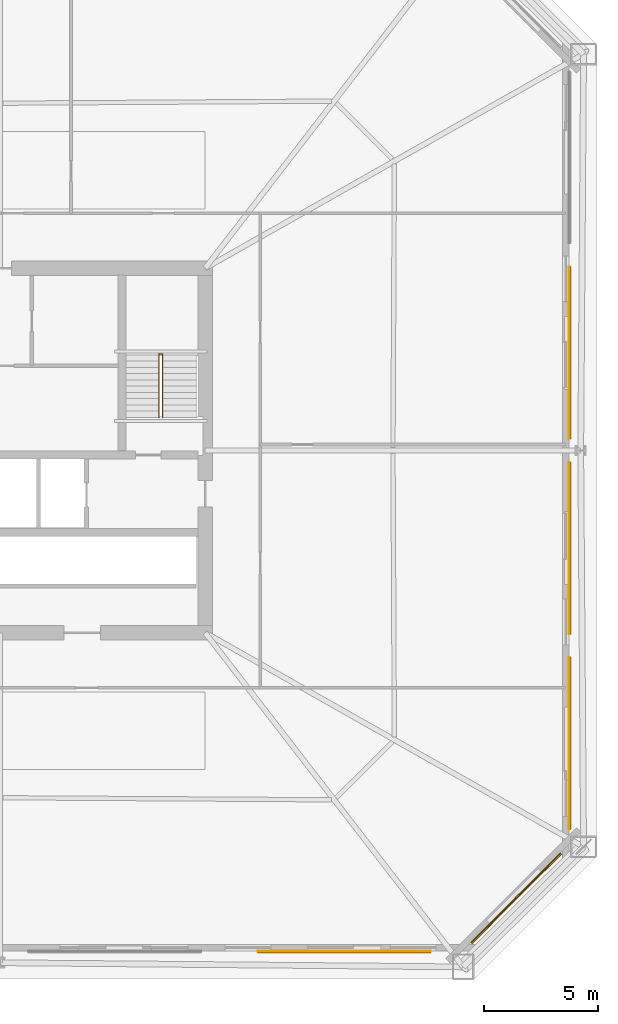
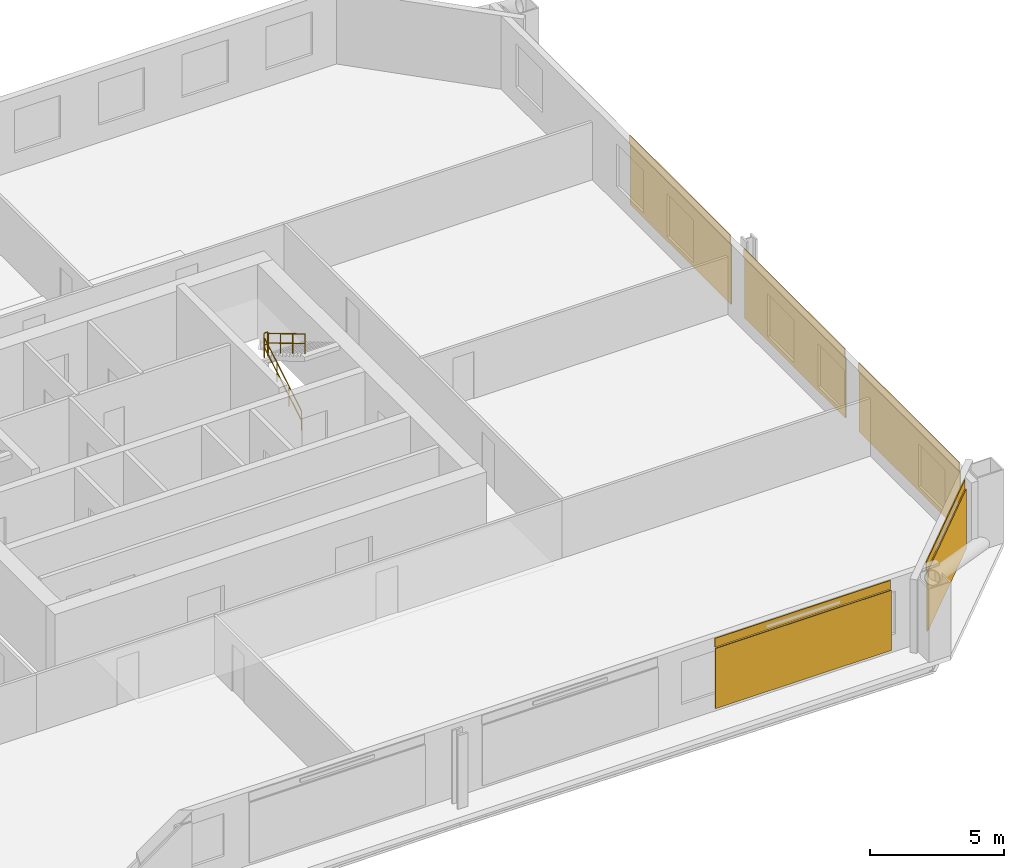
# One storey, part 10 of 11: 5 coverings, 5 shading devices, 3 railings.
"""IFC4 building model written with IfcOpenShell, lengths in metres."""

from ifc_helpers import new_model, si_unit, direction, frame, origin, origin_2d, place, context, subcontext, project, spatial, rectangle, circle, extrude, material, layer, layer_set, type_object, element, save


model = new_model("IFC4")

# Units and contexts
model_context = context("Model", 3, precision=1e-05, world=origin(), true_north=direction((0.0, 1.0)))
body_context = subcontext(model_context, "Body", "Model", "MODEL_VIEW")
ifc_project = project(units=[si_unit("LENGTHUNIT", "METRE"), si_unit("AREAUNIT", "SQUARE_METRE"), si_unit("VOLUMEUNIT", "CUBIC_METRE"), si_unit("PLANEANGLEUNIT", "RADIAN"), si_unit("MASSUNIT", "GRAM", prefix="KILO")], contexts=[model_context])

# Site, building, storey
site_placement = place(None, origin())
site = spatial("IfcSite", under=ifc_project, at=site_placement, CompositionType="ELEMENT")
building_placement = place(site_placement, origin())
building = spatial("IfcBuilding", under=site, at=building_placement, Name="Caelvoria Tower", CompositionType="ELEMENT")
storey_placement = place(building_placement, frame((0.0, 0.0, 74.800048828125)))
storey = spatial("IfcBuildingStorey", under=building, at=storey_placement, Name="L19", CompositionType="ELEMENT", Elevation=74.800048828125)

# Coverings
ifc_material_1 = material(Name="Perforated Architectural Bronze Cladding Screen", Category="bronze")
ifc_layer_1 = layer(ifc_material_1, 0.0400390625, Name="Perforated Architectural Bronze Cladding Screen")
ifc_layer_set_1 = layer_set([ifc_layer_1], Name="Perforated Bronze Louvre Cladding Band 40 - Perforated Architectural Bronze Cladding Screen")
covering_type = type_object("IfcCoveringType", Name="Perforated Bronze Louvre Cladding Band 40", PredefinedType="CLADDING", material=ifc_layer_set_1)
covering_1_placement = place(storey_placement, frame((61.10498046875, 10.028076171875, 2.93994140625), z_axis=(0.0, 0.0, 1.0), x_axis=(1.0, 0.0, 0.0)))
element("IfcCovering", 1, at=covering_1_placement, inside=storey, type_object=covering_type, Name="Perforated Bronze Screen Band L19-E0-03", PredefinedType="CLADDING", context=body_context, shape_type="SweptSolid", body=[
    extrude(rectangle(XDim=7.60009765625, YDim=0.0400390625, at=origin_2d()), origin(), (0.0, 0.0, 1.0), 0.39990234375),
])
covering_2_placement = place(storey_placement, frame((68.631591796875, 12.368408203125, 2.93994140625), z_axis=(0.0, 0.0, 1.0), x_axis=(0.707106781187, 0.707106781187, 0.0)))
element("IfcCovering", 2, at=covering_2_placement, inside=storey, type_object=covering_type, Name="Perforated Bronze Screen Band L19-E1-00", PredefinedType="CLADDING", context=body_context, shape_type="SweptSolid", body=[
    extrude(rectangle(XDim=5.55859375, YDim=0.0400390625, at=origin_2d()), origin(), (0.0, 0.0, 1.0), 0.39990234375),
])
for number, where, z_axis, x_axis, name in (
    (3, (70.971923828125, 19.14501953125, 2.93994140625), (0.0, 0.0, 1.0), (0.0, 1.0, 0.0), "Perforated Bronze Screen Band L19-E2-00"),
    (4, (70.971923828125, 27.715087890625, 2.93994140625), (0.0, 0.0, 1.0), (0.0, 1.0, 0.0), "Perforated Bronze Screen Band L19-E2-01"),
    (5, (70.971923828125, 36.284912109375, 2.93994140625), (0.0, 0.0, 1.0), (0.0, 1.0, 0.0), "Perforated Bronze Screen Band L19-E2-02"),
):
    element("IfcCovering", number, at=place(storey_placement, frame(where, z_axis=z_axis, x_axis=x_axis)), inside=storey, type_object=covering_type, Name=name, PredefinedType="CLADDING", context=body_context, shape_type="SweptSolid", body=[
        extrude(rectangle(XDim=7.54150390625, YDim=0.0400390625, at=origin_2d()), origin(), (0.0, 0.0, 1.0), 0.39990234375),
    ])

# Shading devices
ifc_material_2 = material(Name="Perforated Architectural Bronze Alloy Panel", Category="bronze")
ifc_layer_2 = layer(ifc_material_2, 0.044921875, Name="Perforated Architectural Bronze Alloy Panel")
ifc_layer_set_2 = layer_set([ifc_layer_2], Name="Perforated Bronze Solar Screen Panel SCREEN - Perforated Architectural Bronze Alloy Panel")
shading_device_type = type_object("IfcShadingDeviceType", Name="Perforated Bronze Solar Screen Panel SCREEN", PredefinedType="USERDEFINED", material=ifc_layer_set_2)
shading_device_1_placement = place(storey_placement, frame((61.10498046875, 9.985107421875, 0.159912109375), z_axis=(0.0, 0.0, 1.0), x_axis=(1.0, 0.0, 0.0)))
element("IfcShadingDevice", 6, at=shading_device_1_placement, inside=storey, type_object=shading_device_type, Name="Perforated Bronze Solar Screen L19-E0-03", ObjectType="SCREEN", PredefinedType="USERDEFINED", context=body_context, shape_type="SweptSolid", body=[
    extrude(rectangle(XDim=7.60009765625, YDim=0.044921875, at=origin_2d()), origin(), (0.0, 0.0, 1.0), 2.75),
])
shading_device_2_placement = place(storey_placement, frame((68.662109375, 12.337890625, 0.159912109375), z_axis=(0.0, 0.0, 1.0), x_axis=(0.707106781187, 0.707106781187, 0.0)))
element("IfcShadingDevice", 7, at=shading_device_2_placement, inside=storey, type_object=shading_device_type, Name="Perforated Bronze Solar Screen L19-E1-00", ObjectType="SCREEN", PredefinedType="USERDEFINED", context=body_context, shape_type="SweptSolid", body=[
    extrude(rectangle(XDim=5.55859375, YDim=0.044921875, at=origin_2d()), origin(), (0.0, 0.0, 1.0), 2.75),
])
for number, where, z_axis, x_axis, name in (
    (8, (71.014892578125, 19.14501953125, 0.159912109375), (0.0, 0.0, 1.0), (0.0, 1.0, 0.0), "Perforated Bronze Solar Screen L19-E2-00"),
    (9, (71.014892578125, 27.715087890625, 0.159912109375), (0.0, 0.0, 1.0), (0.0, 1.0, 0.0), "Perforated Bronze Solar Screen L19-E2-01"),
    (10, (71.014892578125, 36.284912109375, 0.159912109375), (0.0, 0.0, 1.0), (0.0, 1.0, 0.0), "Perforated Bronze Solar Screen L19-E2-02"),
):
    element("IfcShadingDevice", number, at=place(storey_placement, frame(where, z_axis=z_axis, x_axis=x_axis)), inside=storey, type_object=shading_device_type, Name=name, ObjectType="SCREEN", PredefinedType="USERDEFINED", context=body_context, shape_type="SweptSolid", body=[
        extrude(rectangle(XDim=7.54150390625, YDim=0.044921875, at=origin_2d()), origin(), (0.0, 0.0, 1.0), 2.75),
    ])

# Railings
ifc_material_3 = material(Name="Brushed Stainless Steel Tube", Category="steel")
railing_type_1 = type_object("IfcRailingType", Name="Stair Tubular Stainless Handrail 920", PredefinedType="HANDRAIL", material=ifc_material_3)
railing_1_placement = place(storey_placement, frame((52.969970703125, 33.449951171875, 0.16357421875)))
element("IfcRailing", 11, at=railing_1_placement, inside=storey, type_object=railing_type_1, Name="ST-02 Flight 1 Handrail L19", PredefinedType="HANDRAIL", context=body_context, shape_type="SweptSolid", body=[
    extrude(circle(Radius=0.02392578125, at=origin_2d()), frame((0.0, 0.0, 0.89599609375), z_axis=(0.0, 0.859351957796, 0.511384603436), x_axis=(-1.0, 0.0, 0.0)), (0.0, 0.0, 1.0), 3.2001953125),
    extrude(circle(Radius=0.02392578125, at=origin_2d()), frame((0.0, 0.0, 0.4599609375), z_axis=(0.0, 0.859351957796, 0.511384603436), x_axis=(-1.0, 0.0, 0.0)), (0.0, 0.0, 1.0), 3.2001953125),
    extrude(circle(Radius=0.02099609375, at=origin_2d()), origin(), (0.0, 0.0, 1.0), 0.871826171875),
    extrude(circle(Radius=0.02099609375, at=origin_2d()), frame((0.0, 0.916748046875, 0.54541015625)), (0.0, 0.0, 1.0), 0.871826171875),
    extrude(circle(Radius=0.02099609375, at=origin_2d()), frame((0.0, 1.833251953125, 1.091064453125)), (0.0, 0.0, 1.0), 0.871826171875),
    extrude(circle(Radius=0.02099609375, at=origin_2d()), frame((0.0, 2.75, 1.636474609375)), (0.0, 0.0, 1.0), 0.871826171875),
])
railing_2_placement = place(storey_placement, frame((53.1298828125, 36.199951171875, 1.963623046875)))
element("IfcRailing", 12, at=railing_2_placement, inside=storey, type_object=railing_type_1, Name="ST-02 Flight 2 Handrail L19", PredefinedType="HANDRAIL", context=body_context, shape_type="SweptSolid", body=[
    extrude(circle(Radius=0.02392578125, at=origin_2d()), frame((0.0, 0.0, 0.89599609375), z_axis=(0.0, -0.859385484447, 0.511328259656), x_axis=(1.0, 0.0, 0.0)), (0.0, 0.0, 1.0), 3.199951171875),
    extrude(circle(Radius=0.02392578125, at=origin_2d()), frame((0.0, 0.0, 0.4599609375), z_axis=(0.0, -0.859385484447, 0.511328259656), x_axis=(1.0, 0.0, 0.0)), (0.0, 0.0, 1.0), 3.199951171875),
    extrude(circle(Radius=0.02099609375, at=origin_2d()), origin(), (0.0, 0.0, 1.0), 0.871826171875),
    extrude(circle(Radius=0.02099609375, at=origin_2d()), frame((0.0, -0.916748046875, 0.54541015625)), (0.0, 0.0, 1.0), 0.871826171875),
    extrude(circle(Radius=0.02099609375, at=origin_2d()), frame((0.0, -1.833251953125, 1.0908203125)), (0.0, 0.0, 1.0), 0.871826171875),
    extrude(circle(Radius=0.02099609375, at=origin_2d()), frame((0.0, -2.75, 1.63623046875)), (0.0, 0.0, 1.0), 0.871826171875),
])
ifc_material_4 = material(Name="Brushed Stainless Steel Guardrail", Category="steel")
railing_type_2 = type_object("IfcRailingType", Name="Stair Well and Ramp Guardrail 1120", PredefinedType="GUARDRAIL", material=ifc_material_4)
railing_3_placement = place(storey_placement, frame((52.969970703125, 36.239990234375, 1.800048828125)))
element("IfcRailing", 13, at=railing_3_placement, inside=storey, type_object=railing_type_2, Name="ST-02 Half-Landing Well Guard L19", PredefinedType="GUARDRAIL", context=body_context, shape_type="SweptSolid", body=[
    extrude(circle(Radius=0.02392578125, at=origin_2d()), frame((0.0, 0.0, 1.09619140625), z_axis=(1.0, 0.0, 0.0), x_axis=(0.0, 1.0, 0.0)), (0.0, 0.0, 1.0), 0.159912109375),
    extrude(circle(Radius=0.02392578125, at=origin_2d()), frame((0.0, 0.0, 0.56005859375), z_axis=(1.0, 0.0, 0.0), x_axis=(0.0, 1.0, 0.0)), (0.0, 0.0, 1.0), 0.159912109375),
    extrude(circle(Radius=0.02099609375, at=origin_2d()), origin(), (0.0, 0.0, 1.0), 1.072021484375),
    extrude(circle(Radius=0.02099609375, at=origin_2d()), frame((0.159912109375, 0.0, 0.0)), (0.0, 0.0, 1.0), 1.072021484375),
])

save(model, "model.ifc")
